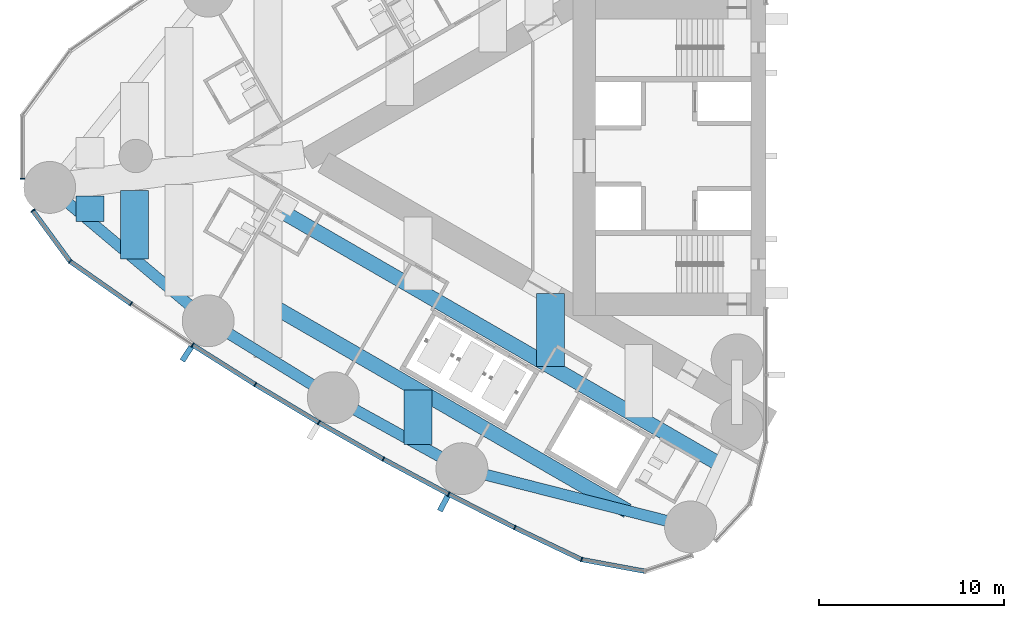
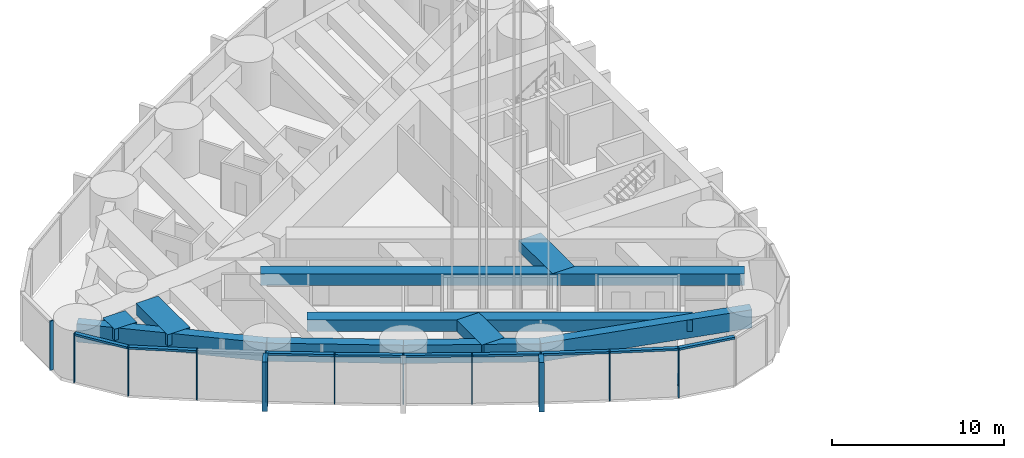
# One storey, part 2 of 21: 22 members, 10 beams, 2 elements without a shape of their own.
"""IFC4 building model written with IfcOpenShell, lengths in metres."""

from ifc_helpers import new_model, si_unit, direction, frame, origin, origin_2d, place, context, subcontext, project, spatial, rectangle, hollow_rectangle, extrude, material, material_profile, profile_set, type_object, element, aggregate, save


model = new_model("IFC4")

# Units and contexts
model_context = context("Model", 3, precision=1e-05, world=origin(), true_north=direction((0.0, 1.0)))
body_context = subcontext(model_context, "Body", "Model", "MODEL_VIEW")
ifc_project = project(units=[si_unit("LENGTHUNIT", "METRE"), si_unit("AREAUNIT", "SQUARE_METRE"), si_unit("VOLUMEUNIT", "CUBIC_METRE"), si_unit("PLANEANGLEUNIT", "RADIAN"), si_unit("MASSUNIT", "GRAM", prefix="KILO")], contexts=[model_context])

# Site, building, storey
site_placement = place(None, origin())
site = spatial("IfcSite", under=ifc_project, at=site_placement, CompositionType="ELEMENT")
building_placement = place(site_placement, origin())
building = spatial("IfcBuilding", under=site, at=building_placement, Name="Lancet Gate Hotel", CompositionType="ELEMENT")
storey_placement = place(building_placement, frame((0.0, 0.0, 156.300048828125)))
storey = spatial("IfcBuildingStorey", under=building, at=storey_placement, Name="L41", CompositionType="ELEMENT", Elevation=156.300048828125)

# Curtain wall, member
ifc_material_1 = material(Name="Aluminium curtain wall", Category="aluminium")
curtain_wall_type = type_object("IfcCurtainWallType", Name="Tower unitised curtain wall", PredefinedType="USERDEFINED", material=ifc_material_1)
curtain_wall_1_placement = place(storey_placement, origin())
curtain_wall_1 = element("IfcCurtainWall", 1, at=curtain_wall_1_placement, inside=storey, type_object=curtain_wall_type, Name="T1 L41 curtain wall 2", ObjectType="UNITISED CURTAIN WALL", PredefinedType="USERDEFINED")
ifc_material_2 = material(Name="Aluminium mullion", Category="aluminium")
ifc_material_profile_1 = material_profile(ifc_material_2, rectangle(XDim=0.06494140625, YDim=0.25, at=origin_2d()), Name="MULLION 65x250")
ifc_profile_set_1 = profile_set([ifc_material_profile_1], Name="Aluminium mullion")
member_type_1 = type_object("IfcMemberType", Name="Aluminium mullion 65x250", PredefinedType="MULLION", material=ifc_profile_set_1)
member_1_placement = place(storey_placement, frame((-67.61572265625, -1.220458984375, 0.0), z_axis=(0.0, 0.0, 1.0), x_axis=(0.0, -1.0, 0.0)))
member_1 = element("IfcMember", 2, at=member_1_placement, type_object=member_type_1, Name="T1 L41 curtain wall 2 mullion 13", PredefinedType="MULLION", context=body_context, shape_type="SweptSolid", body=[
    extrude(rectangle(XDim=0.06494140625, YDim=0.25, at=origin_2d()), origin(), (0.0, 0.0, 1.0), 3.5),
])
aggregate(curtain_wall_1, [member_1])

# Curtain wall, members
curtain_wall_2_placement = place(storey_placement, origin())
curtain_wall_2 = element("IfcCurtainWall", 3, at=curtain_wall_2_placement, inside=storey, type_object=curtain_wall_type, Name="T1 L41 curtain wall 3", ObjectType="UNITISED CURTAIN WALL", PredefinedType="USERDEFINED")
member_2_placement = place(storey_placement, frame((-67.05029296875, -2.948486328125, 0.0), z_axis=(0.0, 0.0, 1.0), x_axis=(0.591299785592, -0.806451835858, 0.0)))
member_2 = element("IfcMember", 4, at=member_2_placement, type_object=member_type_1, Name="T1 L41 curtain wall 3 mullion 1", PredefinedType="MULLION", context=body_context, shape_type="SweptSolid", body=[
    extrude(rectangle(XDim=0.06494140625, YDim=0.25, at=origin_2d()), origin(), (0.0, 0.0, 1.0), 3.5),
])
member_3_placement = place(storey_placement, frame((-65.040283203125, -5.68994140625, 0.0), z_axis=(0.0, 0.0, 1.0), x_axis=(0.724381882759, -0.689398932354, 0.0)))
member_3 = element("IfcMember", 5, at=member_3_placement, type_object=member_type_1, Name="T1 L41 curtain wall 3 mullion 2", PredefinedType="MULLION", context=body_context, shape_type="SweptSolid", body=[
    extrude(rectangle(XDim=0.06494140625, YDim=0.25, at=origin_2d()), origin(), (0.0, 0.0, 1.0), 3.5),
])
member_4_placement = place(storey_placement, frame((-61.7626953125, -7.980712890625, 0.0), z_axis=(0.0, 0.0, 1.0), x_axis=(0.826312172542, -0.563212387568, 0.0)))
member_4 = element("IfcMember", 6, at=member_4_placement, type_object=member_type_1, Name="T1 L41 curtain wall 3 mullion 3", PredefinedType="MULLION", context=body_context, shape_type="SweptSolid", body=[
    extrude(rectangle(XDim=0.06494140625, YDim=0.25, at=origin_2d()), origin(), (0.0, 0.0, 1.0), 3.5),
])
member_5_placement = place(storey_placement, frame((-58.43212890625, -10.194091796875, 0.0), z_axis=(0.0, 0.0, 1.0), x_axis=(0.839331119324, -0.54362052218, 0.0)))
member_5 = element("IfcMember", 7, at=member_5_placement, type_object=member_type_1, Name="T1 L41 curtain wall 3 mullion 4", PredefinedType="MULLION", context=body_context, shape_type="SweptSolid", body=[
    extrude(rectangle(XDim=0.06494140625, YDim=0.25, at=origin_2d()), origin(), (0.0, 0.0, 1.0), 3.5),
])
member_6_placement = place(storey_placement, frame((-55.05029296875, -12.328369140625, 0.0), z_axis=(0.0, 0.0, 1.0), x_axis=(0.851885635531, -0.52372785297, 0.0)))
member_6 = element("IfcMember", 8, at=member_6_placement, type_object=member_type_1, Name="T1 L41 curtain wall 3 mullion 5", PredefinedType="MULLION", context=body_context, shape_type="SweptSolid", body=[
    extrude(rectangle(XDim=0.06494140625, YDim=0.25, at=origin_2d()), origin(), (0.0, 0.0, 1.0), 3.5),
])
member_7_placement = place(storey_placement, frame((-51.619384765625, -14.38232421875, 0.0), z_axis=(0.0, 0.0, 1.0), x_axis=(0.863968774311, -0.503545387245, 0.0)))
member_7 = element("IfcMember", 9, at=member_7_placement, type_object=member_type_1, Name="T1 L41 curtain wall 3 mullion 6", PredefinedType="MULLION", context=body_context, shape_type="SweptSolid", body=[
    extrude(rectangle(XDim=0.06494140625, YDim=0.25, at=origin_2d()), origin(), (0.0, 0.0, 1.0), 3.5),
])
member_8_placement = place(storey_placement, frame((-48.140869140625, -16.355224609375, 0.0), z_axis=(0.0, 0.0, 1.0), x_axis=(0.87557384965, -0.483084292654, 0.0)))
member_8 = element("IfcMember", 10, at=member_8_placement, type_object=member_type_1, Name="T1 L41 curtain wall 3 mullion 7", PredefinedType="MULLION", context=body_context, shape_type="SweptSolid", body=[
    extrude(rectangle(XDim=0.06494140625, YDim=0.25, at=origin_2d()), origin(), (0.0, 0.0, 1.0), 3.5),
])
member_9_placement = place(storey_placement, frame((-44.6171875, -18.245849609375, 0.0), z_axis=(0.0, 0.0, 1.0), x_axis=(0.886694440064, -0.462355891019, 0.0)))
member_9 = element("IfcMember", 11, at=member_9_placement, type_object=member_type_1, Name="T1 L41 curtain wall 3 mullion 8", PredefinedType="MULLION", context=body_context, shape_type="SweptSolid", body=[
    extrude(rectangle(XDim=0.06494140625, YDim=0.25, at=origin_2d()), origin(), (0.0, 0.0, 1.0), 3.5),
])
member_10_placement = place(storey_placement, frame((-41.0498046875, -20.052978515625, 0.0), z_axis=(0.0, 0.0, 1.0), x_axis=(0.897324392142, -0.441371652088, 0.0)))
member_10 = element("IfcMember", 12, at=member_10_placement, type_object=member_type_1, Name="T1 L41 curtain wall 3 mullion 9", PredefinedType="MULLION", context=body_context, shape_type="SweptSolid", body=[
    extrude(rectangle(XDim=0.06494140625, YDim=0.25, at=origin_2d()), origin(), (0.0, 0.0, 1.0), 3.5),
])
member_11_placement = place(storey_placement, frame((-37.44091796875, -21.775634765625, 0.0), z_axis=(0.0, 0.0, 1.0), x_axis=(0.948119321052, -0.317914694609, 0.0)))
member_11 = element("IfcMember", 13, at=member_11_placement, type_object=member_type_1, Name="T1 L41 curtain wall 3 mullion 10", PredefinedType="MULLION", context=body_context, shape_type="SweptSolid", body=[
    extrude(rectangle(XDim=0.06494140625, YDim=0.25, at=origin_2d()), origin(), (0.0, 0.0, 1.0), 3.5),
])
ifc_material_3 = material(Name="Aluminium transom", Category="aluminium")
ifc_material_profile_2 = material_profile(ifc_material_3, rectangle(XDim=0.25, YDim=0.14990234375, at=origin_2d()), Name="TRANSOM 250x150")
ifc_profile_set_2 = profile_set([ifc_material_profile_2], Name="Aluminium transom")
member_type_2 = type_object("IfcMemberType", Name="Aluminium transom 250x150", PredefinedType="USERDEFINED", material=ifc_profile_set_2)
member_12_placement = place(storey_placement, frame((-67.031005859375, -2.974853515625, 3.425048828125), z_axis=(0.591306519832, -0.806446898193, 0.0), x_axis=(0.806446898193, 0.591306519832, 0.0)))
member_12 = element("IfcMember", 14, at=member_12_placement, type_object=member_type_2, Name="T1 L41 curtain wall 3 transom 1", ObjectType="TRANSOM", PredefinedType="USERDEFINED", context=body_context, shape_type="SweptSolid", body=[
    extrude(rectangle(XDim=0.25, YDim=0.14990234375, at=origin_2d()), origin(), (0.0, 0.0, 1.0), 3.333984375),
])
member_13_placement = place(storey_placement, frame((-65.013671875, -5.70849609375, 3.425048828125), z_axis=(0.819636985462, -0.572883244704, 0.0), x_axis=(0.572883244704, 0.819636985462, 0.0)))
member_13 = element("IfcMember", 15, at=member_13_placement, type_object=member_type_2, Name="T1 L41 curtain wall 3 transom 2", ObjectType="TRANSOM", PredefinedType="USERDEFINED", context=body_context, shape_type="SweptSolid", body=[
    extrude(rectangle(XDim=0.25, YDim=0.14990234375, at=origin_2d()), origin(), (0.0, 0.0, 1.0), 3.933837890625),
])
member_14_placement = place(storey_placement, frame((-58.40478515625, -10.21142578125, 3.425048828125), z_axis=(0.845671711095, -0.53370343549, 0.0), x_axis=(0.53370343549, 0.845671711095, 0.0)))
member_14 = element("IfcMember", 16, at=member_14_placement, type_object=member_type_2, Name="T1 L41 curtain wall 3 transom 4", ObjectType="TRANSOM", PredefinedType="USERDEFINED", context=body_context, shape_type="SweptSolid", body=[
    extrude(rectangle(XDim=0.25, YDim=0.14990234375, at=origin_2d()), origin(), (0.0, 0.0, 1.0), 3.93408203125),
])
member_15_placement = place(storey_placement, frame((-55.0224609375, -12.344970703125, 3.425048828125), z_axis=(0.857985365092, -0.513674131419, 0.0), x_axis=(0.513674131419, 0.857985365092, 0.0)))
member_15 = element("IfcMember", 17, at=member_15_placement, type_object=member_type_2, Name="T1 L41 curtain wall 3 transom 5", ObjectType="TRANSOM", PredefinedType="USERDEFINED", context=body_context, shape_type="SweptSolid", body=[
    extrude(rectangle(XDim=0.25, YDim=0.14990234375, at=origin_2d()), origin(), (0.0, 0.0, 1.0), 3.933837890625),
])
member_16_placement = place(storey_placement, frame((-51.591064453125, -14.3984375, 3.425048828125), z_axis=(0.869819807367, -0.493369539709, 0.0), x_axis=(0.493369539709, 0.869819807367, 0.0)))
member_16 = element("IfcMember", 18, at=member_16_placement, type_object=member_type_2, Name="T1 L41 curtain wall 3 transom 6", ObjectType="TRANSOM", PredefinedType="USERDEFINED", context=body_context, shape_type="SweptSolid", body=[
    extrude(rectangle(XDim=0.25, YDim=0.14990234375, at=origin_2d()), origin(), (0.0, 0.0, 1.0), 3.93408203125),
])
member_17_placement = place(storey_placement, frame((-48.1123046875, -16.37060546875, 3.425048828125), z_axis=(0.881185491994, -0.472770693571, 0.0), x_axis=(0.472770693571, 0.881185491994, 0.0)))
member_17 = element("IfcMember", 19, at=member_17_placement, type_object=member_type_2, Name="T1 L41 curtain wall 3 transom 7", ObjectType="TRANSOM", PredefinedType="USERDEFINED", context=body_context, shape_type="SweptSolid", body=[
    extrude(rectangle(XDim=0.25, YDim=0.14990234375, at=origin_2d()), origin(), (0.0, 0.0, 1.0), 3.93408203125),
])
member_18_placement = place(storey_placement, frame((-44.588134765625, -18.260498046875, 3.425048828125), z_axis=(0.892081477453, -0.451874581699, 0.0), x_axis=(0.451874581699, 0.892081477453, 0.0)))
member_18 = element("IfcMember", 20, at=member_18_placement, type_object=member_type_2, Name="T1 L41 curtain wall 3 transom 8", ObjectType="TRANSOM", PredefinedType="USERDEFINED", context=body_context, shape_type="SweptSolid", body=[
    extrude(rectangle(XDim=0.25, YDim=0.14990234375, at=origin_2d()), origin(), (0.0, 0.0, 1.0), 3.933837890625),
])
member_19_placement = place(storey_placement, frame((-41.0205078125, -20.06689453125, 3.425048828125), z_axis=(0.902468975385, -0.430754858902, 0.0), x_axis=(0.430754858902, 0.902468975385, 0.0)))
member_19 = element("IfcMember", 21, at=member_19_placement, type_object=member_type_2, Name="T1 L41 curtain wall 3 transom 9", ObjectType="TRANSOM", PredefinedType="USERDEFINED", context=body_context, shape_type="SweptSolid", body=[
    extrude(rectangle(XDim=0.25, YDim=0.14990234375, at=origin_2d()), origin(), (0.0, 0.0, 1.0), 3.93408203125),
])
member_20_placement = place(storey_placement, frame((-37.408935546875, -21.781494140625, 3.425048828125), z_axis=(0.983286757871, -0.182063592724, 0.0), x_axis=(0.182063592724, 0.983286757871, 0.0)))
member_20 = element("IfcMember", 22, at=member_20_placement, type_object=member_type_2, Name="T1 L41 curtain wall 3 transom 10", ObjectType="TRANSOM", PredefinedType="USERDEFINED", context=body_context, shape_type="SweptSolid", body=[
    extrude(rectangle(XDim=0.25, YDim=0.14990234375, at=origin_2d()), origin(), (0.0, 0.0, 1.0), 3.406005859375),
])

# Beams
ifc_material_4 = material(Name="Steel S460QL", Category="steel")
ifc_material_profile_3 = material_profile(ifc_material_4, hollow_rectangle(XDim=0.60009765625, YDim=1.300048828125, WallThickness=0.050048828125, at=origin_2d()), Name="BOX 1300x600x50")
ifc_profile_set_3 = profile_set([ifc_material_profile_3], Name="Steel S460QL")
beam_type_1 = type_object("IfcBeamType", Name="Edge beam BOX 1300x600x50", PredefinedType="SPANDREL", material=ifc_profile_set_3)
beam_1_placement = place(storey_placement, frame((-66.142578125, -1.6953125, 2.599853515625), z_axis=(0.765120708367, -0.64388687021, 0.0), x_axis=(0.64388687021, 0.765120708367, 0.0)))
element("IfcBeam", 23, at=beam_1_placement, inside=storey, type_object=beam_type_1, Name="T1 edge beam EB2 L41", PredefinedType="SPANDREL", context=body_context, shape_type="SweptSolid", body=[
    extrude(hollow_rectangle(XDim=0.60009765625, YDim=1.300048828125, WallThickness=0.050048828125, at=origin_2d()), origin(), (0.0, 0.0, 1.0), 11.1787109375),
])
beam_2_placement = place(storey_placement, frame((-57.589599609375, -8.89306640625, 2.599853515625), z_axis=(0.851892008043, -0.523717487423, 0.0), x_axis=(0.523717487423, 0.851892008043, 0.0)))
element("IfcBeam", 24, at=beam_2_placement, inside=storey, type_object=beam_type_1, Name="T1 edge beam EB2 L41", PredefinedType="SPANDREL", context=body_context, shape_type="SweptSolid", body=[
    extrude(hollow_rectangle(XDim=0.60009765625, YDim=1.300048828125, WallThickness=0.050048828125, at=origin_2d()), origin(), (0.0, 0.0, 1.0), 7.92431640625),
])
beam_3_placement = place(storey_placement, frame((-50.8388671875, -13.043212890625, 2.599853515625), z_axis=(0.875577684027, -0.483077342911, 0.0), x_axis=(0.483077342911, 0.875577684027, 0.0)))
element("IfcBeam", 25, at=beam_3_placement, inside=storey, type_object=beam_type_1, Name="T1 edge beam EB2 L41", PredefinedType="SPANDREL", context=body_context, shape_type="SweptSolid", body=[
    extrude(hollow_rectangle(XDim=0.60009765625, YDim=1.300048828125, WallThickness=0.050048828125, at=origin_2d()), origin(), (0.0, 0.0, 1.0), 7.924560546875),
])
beam_4_placement = place(storey_placement, frame((-43.900390625, -16.871337890625, 2.599853515625), z_axis=(0.969008414312, -0.247027717052, 0.0), x_axis=(0.247027717052, 0.969008414312, 0.0)))
element("IfcBeam", 26, at=beam_4_placement, inside=storey, type_object=beam_type_1, Name="T1 edge beam EB2 L41", PredefinedType="SPANDREL", context=body_context, shape_type="SweptSolid", body=[
    extrude(hollow_rectangle(XDim=0.60009765625, YDim=1.300048828125, WallThickness=0.050048828125, at=origin_2d()), origin(), (0.0, 0.0, 1.0), 12.7294921875),
])

# Member
ifc_material_5 = material(Name="Precast concrete C50/60", Category="concrete")
ifc_material_profile_4 = material_profile(ifc_material_5, rectangle(XDim=0.300048828125, YDim=0.89990234375, at=origin_2d()), Name="FIN 300x900")
ifc_profile_set_4 = profile_set([ifc_material_profile_4], Name="Precast concrete C50/60")
member_type_3 = type_object("IfcMemberType", Name="Exposed concrete fin 300x900", PredefinedType="USERDEFINED", material=ifc_profile_set_4)
member_21_placement = place(storey_placement, frame((-58.74462890625, -10.6767578125, 0.0), z_axis=(0.0, 0.0, 1.0), x_axis=(0.839331119324, -0.54362052218, 0.0)))
member_21 = element("IfcMember", 27, at=member_21_placement, type_object=member_type_3, Name="T1 L41 curtain wall 3 fin 4", ObjectType="FIN", PredefinedType="USERDEFINED", context=body_context, shape_type="SweptSolid", body=[
    extrude(rectangle(XDim=0.300048828125, YDim=0.89990234375, at=origin_2d()), origin(), (0.0, 0.0, 1.0), 3.5),
])

member_22_placement = place(storey_placement, frame((-44.883056640625, -18.755615234375, 0.0), z_axis=(0.0, 0.0, 1.0), x_axis=(0.886694440064, -0.462355891019, 0.0)))
member_22 = element("IfcMember", 28, at=member_22_placement, type_object=member_type_3, Name="T1 L41 curtain wall 3 fin 8", ObjectType="FIN", PredefinedType="USERDEFINED", context=body_context, shape_type="SweptSolid", body=[
    extrude(rectangle(XDim=0.300048828125, YDim=0.89990234375, at=origin_2d()), origin(), (0.0, 0.0, 1.0), 3.5),
])

aggregate(curtain_wall_2, [member_2, member_3, member_4, member_5, member_21, member_6, member_7, member_8, member_9, member_22, member_10, member_11, member_12, member_13, member_14, member_15, member_16, member_17, member_18, member_19, member_20])

# Beams
ifc_material_6 = material(Name="Concrete C50/60", Category="concrete")
ifc_material_profile_5 = material_profile(ifc_material_6, rectangle(XDim=1.5, YDim=0.800048828125, at=origin_2d()), Name="RC 1500x800")
ifc_profile_set_5 = profile_set([ifc_material_profile_5], Name="Concrete C50/60")
beam_type_2 = type_object("IfcBeamType", Name="Floor beam RC 1500x800", PredefinedType="BEAM", material=ifc_profile_set_5)
beam_5_placement = place(storey_placement, frame((-61.568359375, -1.85400390625, 2.849853515625), z_axis=(0.0, -1.0, 0.0), x_axis=(1.0, 0.0, 0.0)))
element("IfcBeam", 29, at=beam_5_placement, inside=storey, type_object=beam_type_2, Name="T1 floor beam F15N L41", PredefinedType="BEAM", context=body_context, shape_type="SweptSolid", body=[
    extrude(rectangle(XDim=1.5, YDim=0.800048828125, at=origin_2d()), origin(), (0.0, 0.0, 1.0), 3.69091796875),
])
beam_6_placement = place(storey_placement, frame((-63.96826171875, -2.167724609375, 2.849853515625), z_axis=(0.0, -1.0, 0.0), x_axis=(1.0, 0.0, 0.0)))
element("IfcBeam", 30, at=beam_6_placement, inside=storey, type_object=beam_type_2, Name="T1 floor beam F17N L41", PredefinedType="BEAM", context=body_context, shape_type="SweptSolid", body=[
    extrude(rectangle(XDim=1.5, YDim=0.800048828125, at=origin_2d()), origin(), (0.0, 0.0, 1.0), 1.357421875),
])
beam_7_placement = place(storey_placement, frame((-39.122314453125, -7.41650390625, 2.849853515625), z_axis=(0.0, -1.0, 0.0), x_axis=(1.0, 0.0, 0.0)))
element("IfcBeam", 31, at=beam_7_placement, inside=storey, type_object=beam_type_2, Name="T1 floor beam F05NA L41", PredefinedType="BEAM", context=body_context, shape_type="SweptSolid", body=[
    extrude(rectangle(XDim=1.5, YDim=0.800048828125, at=origin_2d()), origin(), (0.0, 0.0, 1.0), 3.945556640625),
])
beam_8_placement = place(storey_placement, frame((-46.27587890625, -12.61962890625, 2.849853515625), z_axis=(0.0, -1.0, 0.0), x_axis=(1.0, 0.0, 0.0)))
element("IfcBeam", 32, at=beam_8_placement, inside=storey, type_object=beam_type_2, Name="T1 floor beam F08NB L41", PredefinedType="BEAM", context=body_context, shape_type="SweptSolid", body=[
    extrude(rectangle(XDim=1.5, YDim=0.800048828125, at=origin_2d()), origin(), (0.0, 0.0, 1.0), 2.941162109375),
])
ifc_material_7 = material(Name="Steel S460QL", Category="steel")
ifc_material_profile_6 = material_profile(ifc_material_7, hollow_rectangle(XDim=0.800048828125, YDim=0.800048828125, WallThickness=0.080078125, at=origin_2d()), Name="BOX 800x800x80")
ifc_profile_set_6 = profile_set([ifc_material_profile_6], Name="Steel S460QL")
beam_type_3 = type_object("IfcBeamType", Name="Trimmer beam BOX 800x800x80", PredefinedType="BEAM", material=ifc_profile_set_6)
beam_9_placement = place(storey_placement, frame((-30.0166015625, -16.619384765625, 2.849853515625), z_axis=(-0.866030010252, 0.499992021278, 0.0), x_axis=(-0.499992021278, -0.866030010252, 0.0)))
element("IfcBeam", 33, at=beam_9_placement, inside=storey, type_object=beam_type_3, Name="T1 trimmer beam TR01N L41", PredefinedType="BEAM", context=body_context, shape_type="SweptSolid", body=[
    extrude(hollow_rectangle(XDim=0.800048828125, YDim=0.800048828125, WallThickness=0.080078125, at=origin_2d()), origin(), (0.0, 0.0, 1.0), 28.11865234375),
])
beam_10_placement = place(storey_placement, frame((-34.966552734375, -19.14892578125, 2.849853515625), z_axis=(-0.866032239169, 0.499988160579, 0.0), x_axis=(-0.499988160579, -0.866032239169, 0.0)))
element("IfcBeam", 34, at=beam_10_placement, inside=storey, type_object=beam_type_3, Name="T1 trimmer beam TR02N L41", PredefinedType="BEAM", context=body_context, shape_type="SweptSolid", body=[
    extrude(hollow_rectangle(XDim=0.800048828125, YDim=0.800048828125, WallThickness=0.080078125, at=origin_2d()), origin(), (0.0, 0.0, 1.0), 22.40283203125),
])

save(model, "model.ifc")
